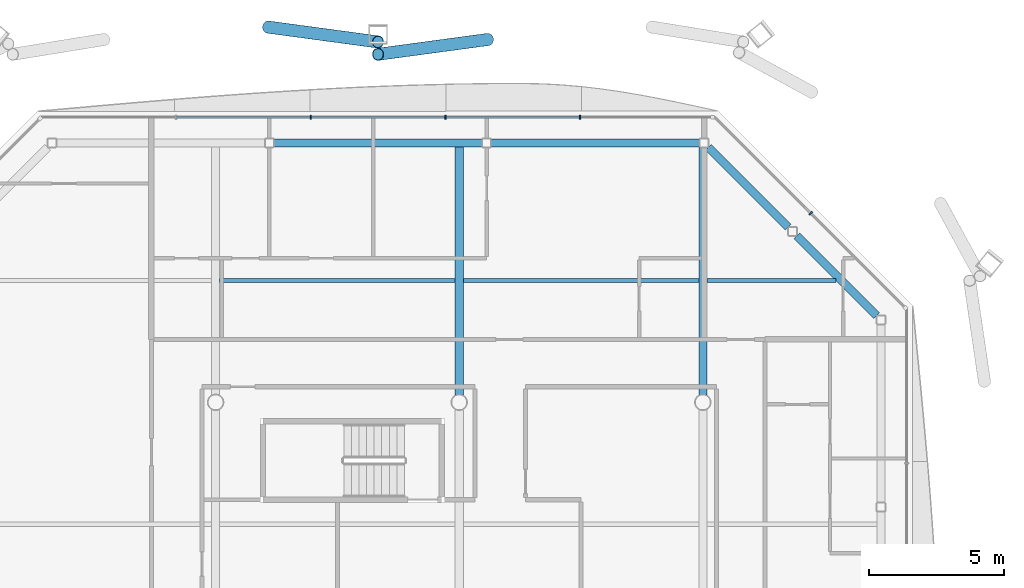
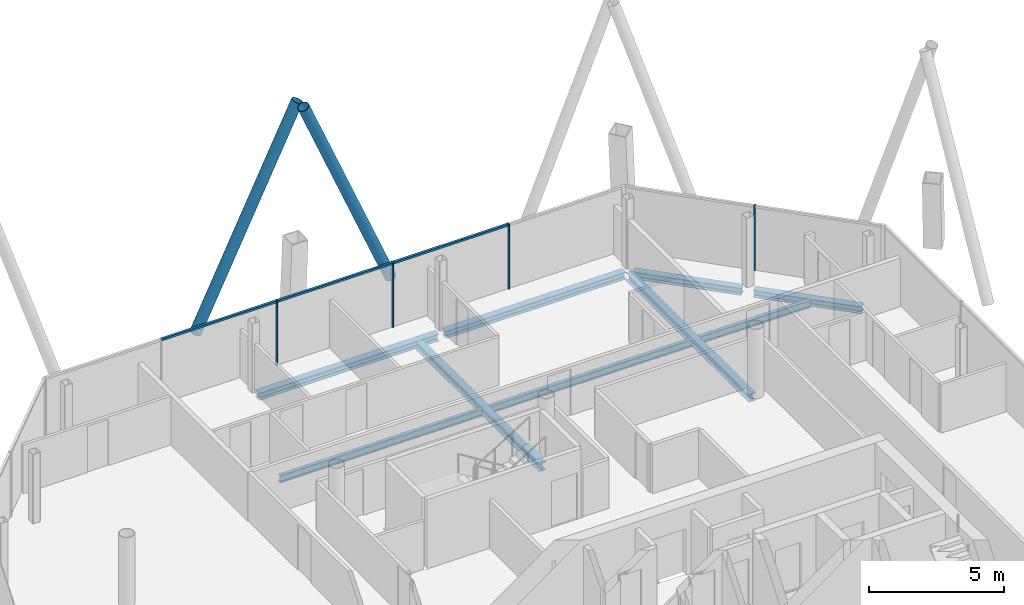
# One storey, part 11 of 20: 9 beams, 9 members, 2 elements without a shape of their own.
"""IFC4 building model written with IfcOpenShell, lengths in metres."""

from ifc_helpers import new_model, si_unit, direction, frame, origin, origin_2d, place, context, subcontext, project, spatial, rectangle, hollow_circle, i_section, extrude, material, material_profile, profile_set, type_object, element, aggregate, save


model = new_model("IFC4")

# Units and contexts
model_context = context("Model", 3, precision=1e-05, world=origin(), true_north=direction((0.0, 1.0)))
body_context = subcontext(model_context, "Body", "Model", "MODEL_VIEW")
ifc_project = project(units=[si_unit("LENGTHUNIT", "METRE"), si_unit("AREAUNIT", "SQUARE_METRE"), si_unit("VOLUMEUNIT", "CUBIC_METRE"), si_unit("PLANEANGLEUNIT", "RADIAN"), si_unit("MASSUNIT", "GRAM", prefix="KILO")], contexts=[model_context])

# Site, building, storey
site_placement = place(None, origin())
site = spatial("IfcSite", under=ifc_project, at=site_placement, CompositionType="ELEMENT")
building_placement = place(site_placement, origin())
building = spatial("IfcBuilding", under=site, at=building_placement, Name="Tskaro Facet Tower", CompositionType="ELEMENT")
storey_placement = place(building_placement, frame((0.0, 0.0, 200.550048828125)))
storey = spatial("IfcBuildingStorey", under=building, at=storey_placement, Name="L51", CompositionType="ELEMENT", Elevation=200.550048828125)

# Members
ifc_material_1 = material(Name="Steel S355J2H", Category="steel")
ifc_material_profile_1 = material_profile(ifc_material_1, hollow_circle(Radius=0.228515625, WallThickness=0.02001953125, at=origin_2d()), Name="CHS 457x20")
ifc_profile_set_1 = profile_set([ifc_material_profile_1], Name="Steel S355J2H")
member_type_1 = type_object("IfcMemberType", Name="CHS 457x20 brace", PredefinedType="BRACE", material=ifc_profile_set_1)
for number, where, z_axis, x_axis, name in (
    (1, (1.053955078125, 22.404296875, 0.0), (-0.393687576676, -0.053202946225, 0.91770340442), (0.133922648163, -0.990991788215, 0.0), "CHS 457x20 XB07A/4"),
    (2, (-7.053955078125, 22.861328125, 0.0), (0.393687576676, -0.053202946225, 0.91770340442), (0.133922648163, 0.990991788215, 0.0), "CHS 457x20 XB08B/4"),
):
    element("IfcMember", number, at=place(storey_placement, frame(where, z_axis=z_axis, x_axis=x_axis)), inside=storey, type_object=member_type_1, Name=name, PredefinedType="BRACE", context=body_context, shape_type="SweptSolid", body=[
        extrude(hollow_circle(Radius=0.228515625, WallThickness=0.02001953125, at=origin_2d()), origin(), (0.0, 0.0, 1.0), 10.29736328125),
    ])

# Curtain wall, member
ifc_material_2 = material(Name="Bronze anodised aluminium 6063-T6", Category="aluminium")
curtain_wall_type = type_object("IfcCurtainWallType", Name="Bronze residence curtain wall (FW3)", PredefinedType="NOTDEFINED", material=ifc_material_2)
curtain_wall_1_placement = place(storey_placement, origin())
curtain_wall_1 = element("IfcCurtainWall", 3, at=curtain_wall_1_placement, inside=storey, type_object=curtain_wall_type, Name="FW3 north-east facet L51", PredefinedType="NOTDEFINED")
ifc_material_profile_2 = material_profile(ifc_material_2, rectangle(XDim=0.050048828125, YDim=0.139892578125, at=origin_2d()), Name="Mullion 50x140")
ifc_profile_set_2 = profile_set([ifc_material_profile_2], Name="Bronze anodised aluminium 6063-T6")
member_type_2 = type_object("IfcMemberType", Name="FW3 bronze mullion 50x140", PredefinedType="MULLION", material=ifc_profile_set_2)
member_1_placement = place(storey_placement, frame((12.986083984375, 15.986083984375, 0.0), z_axis=(0.0, 0.0, 1.0), x_axis=(-0.707106781187, 0.707106781187, 0.0)))
member_1 = element("IfcMember", 4, at=member_1_placement, type_object=member_type_2, Name="FW3 north-east mullion 1", PredefinedType="MULLION", context=body_context, shape_type="SweptSolid", body=[
    extrude(rectangle(XDim=0.050048828125, YDim=0.139892578125, at=origin_2d()), origin(), (0.0, 0.0, 1.0), 2.949951171875),
])
aggregate(curtain_wall_1, [member_1])

# Curtain wall, members
curtain_wall_2_placement = place(storey_placement, origin())
curtain_wall_2 = element("IfcCurtainWall", 5, at=curtain_wall_2_placement, inside=storey, type_object=curtain_wall_type, Name="FW3 north facet L51", PredefinedType="NOTDEFINED")
member_2_placement = place(storey_placement, frame((4.46337890625, 19.532958984375, 0.0), z_axis=(0.0, 0.0, 1.0), x_axis=(-1.0, 0.0, 0.0)))
member_2 = element("IfcMember", 6, at=member_2_placement, type_object=member_type_2, Name="FW3 north mullion 1", PredefinedType="MULLION", context=body_context, shape_type="SweptSolid", body=[
    extrude(rectangle(XDim=0.050048828125, YDim=0.139892578125, at=origin_2d()), origin(), (0.0, 0.0, 1.0), 2.949951171875),
])
member_3_placement = place(storey_placement, frame((-0.51220703125, 19.532958984375, 0.0), z_axis=(0.0, 0.0, 1.0), x_axis=(-1.0, 0.0, 0.0)))
member_3 = element("IfcMember", 7, at=member_3_placement, type_object=member_type_2, Name="FW3 north mullion 2", PredefinedType="MULLION", context=body_context, shape_type="SweptSolid", body=[
    extrude(rectangle(XDim=0.050048828125, YDim=0.139892578125, at=origin_2d()), origin(), (0.0, 0.0, 1.0), 2.949951171875),
])
member_4_placement = place(storey_placement, frame((-5.48779296875, 19.532958984375, 0.0), z_axis=(0.0, 0.0, 1.0), x_axis=(-1.0, 0.0, 0.0)))
member_4 = element("IfcMember", 8, at=member_4_placement, type_object=member_type_2, Name="FW3 north mullion 3", PredefinedType="MULLION", context=body_context, shape_type="SweptSolid", body=[
    extrude(rectangle(XDim=0.050048828125, YDim=0.139892578125, at=origin_2d()), origin(), (0.0, 0.0, 1.0), 2.949951171875),
])
ifc_material_profile_3 = material_profile(ifc_material_2, rectangle(XDim=0.10009765625, YDim=0.090087890625, at=origin_2d()), Name="Transom 100x90")
ifc_profile_set_3 = profile_set([ifc_material_profile_3], Name="Bronze anodised aluminium 6063-T6")
member_type_3 = type_object("IfcMemberType", Name="FW3 bronze transom 100x90", PredefinedType="USERDEFINED", material=ifc_profile_set_3)
member_5_placement = place(storey_placement, frame((4.4384765625, 19.532958984375, 2.905029296875), z_axis=(-1.0, 0.0, 0.0), x_axis=(0.0, -1.0, 0.0)))
member_5 = element("IfcMember", 9, at=member_5_placement, type_object=member_type_3, Name="FW3 north transom 2.1", ObjectType="TRANSOM", PredefinedType="USERDEFINED", context=body_context, shape_type="SweptSolid", body=[
    extrude(rectangle(XDim=0.10009765625, YDim=0.090087890625, at=origin_2d()), origin(), (0.0, 0.0, 1.0), 4.92578125),
])
member_6_placement = place(storey_placement, frame((-0.537109375, 19.532958984375, 2.905029296875), z_axis=(-1.0, 0.0, 0.0), x_axis=(0.0, -1.0, 0.0)))
member_6 = element("IfcMember", 10, at=member_6_placement, type_object=member_type_3, Name="FW3 north transom 3.1", ObjectType="TRANSOM", PredefinedType="USERDEFINED", context=body_context, shape_type="SweptSolid", body=[
    extrude(rectangle(XDim=0.10009765625, YDim=0.090087890625, at=origin_2d()), origin(), (0.0, 0.0, 1.0), 4.92578125),
])
member_7_placement = place(storey_placement, frame((-5.5126953125, 19.532958984375, 2.905029296875), z_axis=(-1.0, 0.0, 0.0), x_axis=(0.0, -1.0, 0.0)))
member_7 = element("IfcMember", 11, at=member_7_placement, type_object=member_type_3, Name="FW3 north transom 4.1", ObjectType="TRANSOM", PredefinedType="USERDEFINED", context=body_context, shape_type="SweptSolid", body=[
    extrude(rectangle(XDim=0.10009765625, YDim=0.090087890625, at=origin_2d()), origin(), (0.0, 0.0, 1.0), 4.92578125),
])
aggregate(curtain_wall_2, [member_2, member_3, member_4, member_5, member_6, member_7])

# Beams
ifc_material_3 = material(Name="Steel S355J2", Category="steel")
ifc_material_profile_4 = material_profile(ifc_material_3, i_section(OverallWidth=0.300048828125, OverallDepth=0.320068359375, WebThickness=0.011474609375, FlangeThickness=0.0205078125, FilletRadius=0.027099609375, at=origin_2d()), Name="HE 320 B")
ifc_profile_set_4 = profile_set([ifc_material_profile_4], Name="Steel S355J2")
beam_type_1 = type_object("IfcBeamType", Name="HE 320 B ring beam", PredefinedType="BEAM", material=ifc_profile_set_4)
for number, where, z_axis, x_axis, name in (
    (12, (15.422119140625, 12.206787109375, -0.300048828125), (-0.70722393913, 0.706989603829, 0.0), (-0.706989603829, -0.70722393913, 0.0), "HE 320 B EB10-4"),
    (13, (12.153076171875, 15.474853515625, -0.300048828125), (-0.706989603829, 0.70722393913, 0.0), (-0.70722393913, -0.706989603829, 0.0), "HE 320 B EB11-4"),
):
    element("IfcBeam", number, at=place(storey_placement, frame(where, z_axis=z_axis, x_axis=x_axis)), inside=storey, type_object=beam_type_1, Name=name, PredefinedType="BEAM", context=body_context, shape_type="SweptSolid", body=[
        extrude(i_section(OverallWidth=0.300048828125, OverallDepth=0.320068359375, WebThickness=0.011474609375, FlangeThickness=0.0205078125, FilletRadius=0.027099609375, at=origin_2d()), origin(), (0.0, 0.0, 1.0), 4.16748046875),
    ])
beam_1_placement = place(storey_placement, frame((8.89111328125, 18.5830078125, -0.300048828125), z_axis=(-1.0, 0.0, 0.0), x_axis=(0.0, -1.0, 0.0)))
element("IfcBeam", 14, at=beam_1_placement, inside=storey, type_object=beam_type_1, Name="HE 320 B EB12-4", PredefinedType="BEAM", context=body_context, shape_type="SweptSolid", body=[
    extrude(i_section(OverallWidth=0.300048828125, OverallDepth=0.320068359375, WebThickness=0.011474609375, FlangeThickness=0.0205078125, FilletRadius=0.027099609375, at=origin_2d()), origin(), (0.0, 0.0, 1.0), 7.72119140625),
])
beam_2_placement = place(storey_placement, frame((0.860107421875, 18.5830078125, -0.300048828125), z_axis=(-1.0, 0.0, 0.0), x_axis=(0.0, -1.0, 0.0)))
element("IfcBeam", 15, at=beam_2_placement, inside=storey, type_object=beam_type_1, Name="HE 320 B EB13-4", PredefinedType="BEAM", context=body_context, shape_type="SweptSolid", body=[
    extrude(i_section(OverallWidth=0.300048828125, OverallDepth=0.320068359375, WebThickness=0.011474609375, FlangeThickness=0.0205078125, FilletRadius=0.027099609375, at=origin_2d()), origin(), (0.0, 0.0, 1.0), 7.72021484375),
])
ifc_material_profile_5 = material_profile(ifc_material_3, i_section(OverallWidth=0.300048828125, OverallDepth=0.35009765625, WebThickness=0.010009765625, FlangeThickness=0.017578125, FilletRadius=0.027099609375, at=origin_2d()), Name="HE 360 A")
ifc_profile_set_5 = profile_set([ifc_material_profile_5], Name="Steel S355J2")
beam_type_2 = type_object("IfcBeamType", Name="HE 360 A girder", PredefinedType="BEAM", material=ifc_profile_set_5)
beam_3_placement = place(storey_placement, frame((0.0, 9.27490234375, -0.31494140625), z_axis=(0.0, 1.0, 0.0), x_axis=(-1.0, 0.0, 0.0)))
element("IfcBeam", 16, at=beam_3_placement, inside=storey, type_object=beam_type_2, Name="HE 360 A GB4-3-4", PredefinedType="BEAM", context=body_context, shape_type="SweptSolid", body=[
    extrude(i_section(OverallWidth=0.300048828125, OverallDepth=0.35009765625, WebThickness=0.010009765625, FlangeThickness=0.017578125, FilletRadius=0.027099609375, at=origin_2d()), origin(), (0.0, 0.0, 1.0), 9.158203125),
])
beam_4_placement = place(storey_placement, frame((9.0, 9.27490234375, -0.31494140625), z_axis=(0.0, 1.0, 0.0), x_axis=(-1.0, 0.0, 0.0)))
element("IfcBeam", 17, at=beam_4_placement, inside=storey, type_object=beam_type_2, Name="HE 360 A GB5-3-4", PredefinedType="BEAM", context=body_context, shape_type="SweptSolid", body=[
    extrude(i_section(OverallWidth=0.300048828125, OverallDepth=0.35009765625, WebThickness=0.010009765625, FlangeThickness=0.017578125, FilletRadius=0.027099609375, at=origin_2d()), origin(), (0.0, 0.0, 1.0), 9.14208984375),
])
ifc_material_profile_6 = material_profile(ifc_material_3, i_section(OverallWidth=0.159912109375, OverallDepth=0.330078125, WebThickness=0.007568359375, FlangeThickness=0.011474609375, FilletRadius=0.01806640625, at=origin_2d()), Name="IPE 330")
ifc_profile_set_6 = profile_set([ifc_material_profile_6], Name="Steel S355J2")
beam_type_3 = type_object("IfcBeamType", Name="IPE 330 secondary beam", PredefinedType="BEAM", material=ifc_profile_set_6)
for number, where, z_axis, x_axis, name in (
    (18, (-8.85009765625, 13.5, -0.304931640625), (1.0, 0.0, 0.0), (0.0, 1.0, 0.0), "IPE 330 SB5a-3-4"),
    (19, (0.14990234375, 13.5, -0.304931640625), (1.0, 0.0, 0.0), (0.0, 1.0, 0.0), "IPE 330 SB5a-4-4"),
):
    element("IfcBeam", number, at=place(storey_placement, frame(where, z_axis=z_axis, x_axis=x_axis)), inside=storey, type_object=beam_type_3, Name=name, PredefinedType="BEAM", context=body_context, shape_type="SweptSolid", body=[
        extrude(i_section(OverallWidth=0.159912109375, OverallDepth=0.330078125, WebThickness=0.007568359375, FlangeThickness=0.011474609375, FilletRadius=0.01806640625, at=origin_2d()), origin(), (0.0, 0.0, 1.0), 8.7001953125),
    ])
beam_5_placement = place(storey_placement, frame((9.14990234375, 13.5, -0.304931640625), z_axis=(1.0, 0.0, 0.0), x_axis=(0.0, 1.0, 0.0)))
element("IfcBeam", 20, at=beam_5_placement, inside=storey, type_object=beam_type_3, Name="IPE 330 SB5a-5-4", PredefinedType="BEAM", context=body_context, shape_type="SweptSolid", body=[
    extrude(i_section(OverallWidth=0.159912109375, OverallDepth=0.330078125, WebThickness=0.007568359375, FlangeThickness=0.011474609375, FilletRadius=0.01806640625, at=origin_2d()), origin(), (0.0, 0.0, 1.0), 4.76708984375),
])

save(model, "model.ifc")
